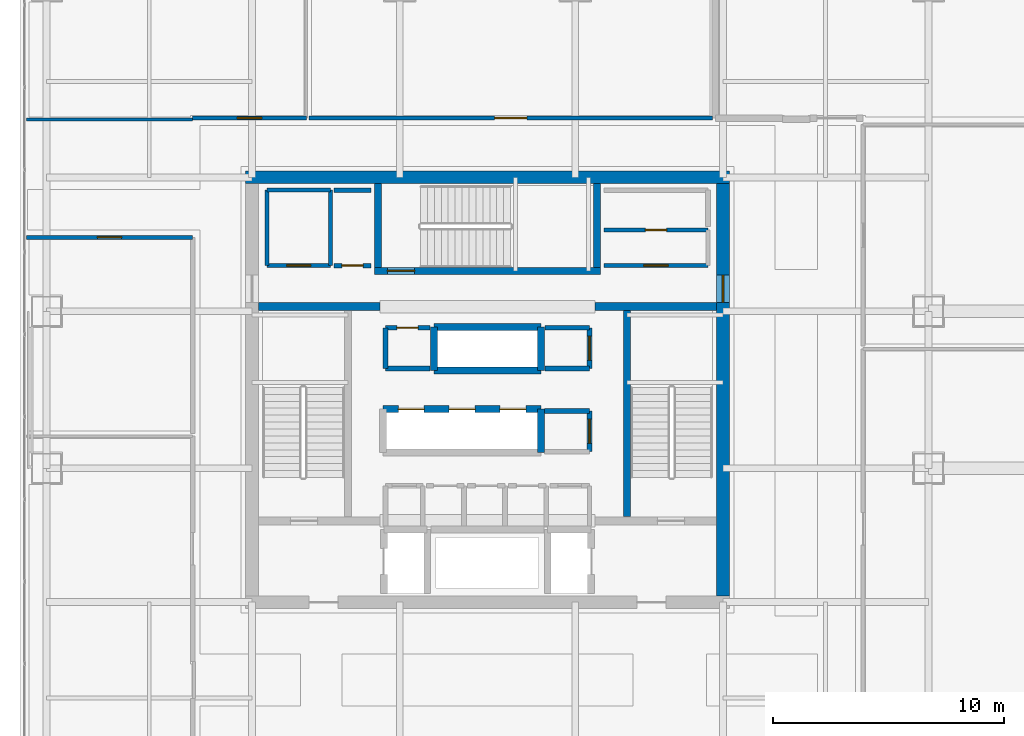
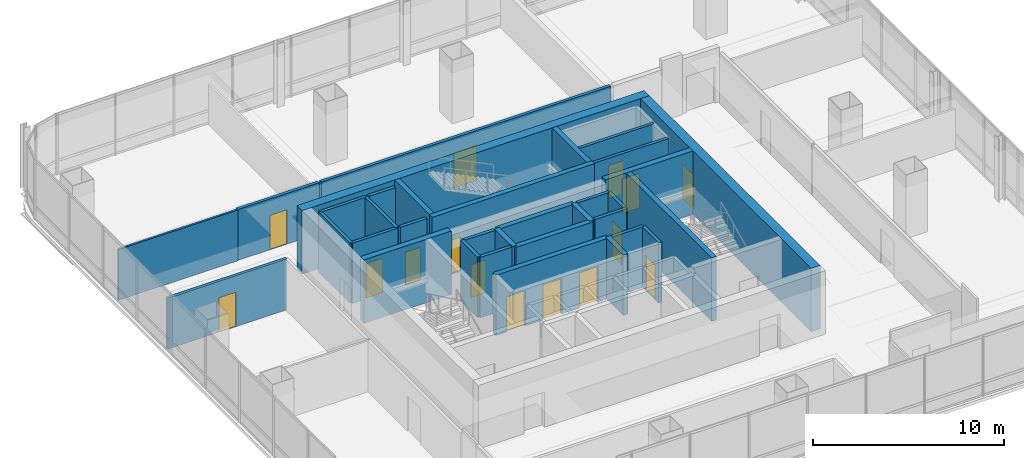
# One storey, part 34 of 40: 34 walls, 15 doors, 15 openings.
"""IFC4 building model written with IfcOpenShell, lengths in metres."""

from ifc_helpers import new_model, si_unit, direction, frame, frame_2d, origin, place, context, subcontext, project, spatial, rectangle, extrude, material, layer, layer_set, type_object, element, fill, save


model = new_model("IFC4")

# Units and contexts
model_context = context("Model", 3, precision=1e-05, world=origin(), true_north=direction((0.0, 1.0)))
body_context = subcontext(model_context, "Body", "Model", "MODEL_VIEW")
ifc_project = project(units=[si_unit("LENGTHUNIT", "METRE"), si_unit("AREAUNIT", "SQUARE_METRE"), si_unit("VOLUMEUNIT", "CUBIC_METRE"), si_unit("PLANEANGLEUNIT", "RADIAN"), si_unit("MASSUNIT", "GRAM", prefix="KILO")], contexts=[model_context])

# Site, building, storey
site_placement = place(None, origin())
site = spatial("IfcSite", under=ifc_project, at=site_placement, CompositionType="ELEMENT")
building_placement = place(site_placement, origin())
building = spatial("IfcBuilding", under=site, at=building_placement, Name="Punatoya Terracotta Tower", CompositionType="ELEMENT")
storey_placement = place(building_placement, frame((0.0, 0.0, 271.64990234375)))
storey = spatial("IfcBuildingStorey", under=building, at=storey_placement, Name="L64", CompositionType="ELEMENT", Elevation=271.64990234375)

# Wall
ifc_material_1 = material(Name="Concrete C50/60", Category="concrete")
ifc_layer_1 = layer(ifc_material_1, 0.550048828125)
ifc_layer_set_1 = layer_set([ifc_layer_1], Name="Concrete C50/60")
wall_type_1 = type_object("IfcWallType", Name="WL-COR-550", PredefinedType="SHEAR", material=ifc_layer_set_1)
wall_1_placement = place(storey_placement, frame((-10.47509765625, 9.199951171875, 0.0), z_axis=(0.0, 0.0, 1.0), x_axis=(1.0, 0.0, 0.0)))
element("IfcWall", 1, at=wall_1_placement, inside=storey, type_object=wall_type_1, Name="L64 Core Shear Wall N", PredefinedType="SHEAR", context=body_context, shape_type="SweptSolid", body=[
    extrude(rectangle(XDim=20.9501953125, YDim=0.550048828125, at=frame_2d((10.47509765625, 0.0))), origin(), (0.0, 0.0, 1.0), 4.050048828125),
])

# Wall, opening, door
wall_2_placement = place(storey_placement, frame((10.199951171875, 8.925048828125, 0.0), z_axis=(0.0, 0.0, 1.0), x_axis=(0.0, -1.0, 0.0)))
wall_2 = element("IfcWall", 2, at=wall_2_placement, inside=storey, type_object=wall_type_1, Name="L64 Core Shear Wall E", PredefinedType="SHEAR", context=body_context, shape_type="SweptSolid", body=[
    extrude(rectangle(XDim=17.85009765625, YDim=0.550048828125, at=frame_2d((8.925048828125, 0.0))), origin(), (0.0, 0.0, 1.0), 4.050048828125),
])
opening_1_placement = place(wall_2_placement, frame((3.955078125, 0.0, 0.0)))
opening_1 = element("IfcOpeningElement", 3, at=opening_1_placement, cuts=wall_2, Name="Opening SD-01", PredefinedType="OPENING", context=body_context, shape_type="SweptSolid", body=[
    extrude(rectangle(XDim=1.179931640625, YDim=2.199951171875, at=frame_2d((0.58984375, 1.10009765625))), frame((0.0, 0.284912109375, 0.0), z_axis=(0.0, -1.0, 0.0), x_axis=(1.0, 0.0, 0.0)), (0.0, 0.0, 1.0), 0.570068359375),
])
ifc_material_2 = material(Name="Galvanised Steel Pressurized Stair Fire Door", Category="steel")
door_type_1 = type_object("IfcDoorType", Name="DR-STR-1180", OperationType="NOTDEFINED", PredefinedType="DOOR", material=ifc_material_2)
door_1_placement = place(opening_1_placement, origin())
door_1 = element("IfcDoor", 4, at=door_1_placement, inside=storey, type_object=door_type_1, Name="L64 Central Lift Lobby East Fire Door", OperationType="SINGLE_SWING_RIGHT", OverallHeight=2.199951171875, OverallWidth=1.179931640625, PredefinedType="DOOR", context=body_context, shape_type="SweptSolid", body=[
    extrude(rectangle(XDim=1.179931640625, YDim=2.199951171875, at=frame_2d((0.58984375, 1.10009765625))), frame((0.0, 0.02490234375, 0.0), z_axis=(0.0, -1.0, 0.0), x_axis=(1.0, 0.0, 0.0)), (0.0, 0.0, 1.0), 0.050048828125),
])
fill(opening_1, door_1)

# Walls
ifc_material_3 = material(Name="Gypsum Fireboard + Steel Stud", Category="steel")
ifc_layer_2 = layer(ifc_material_3, 0.179931640625)
ifc_layer_set_2 = layer_set([ifc_layer_2], Name="Gypsum Fireboard + Steel Stud")
wall_type_2 = type_object("IfcWallType", Name="WL-CORR-180", PredefinedType="PARTITIONING", material=ifc_layer_set_2)
wall_3_placement = place(storey_placement, frame((-6.800048828125, 5.3798828125, 0.0), z_axis=(0.0, 0.0, 1.0), x_axis=(0.0, 1.0, 0.0)))
element("IfcWall", 5, at=wall_3_placement, inside=storey, type_object=wall_type_2, Name="L64 West Core Briefing Pod Partition 21", PredefinedType="PARTITIONING", context=body_context, shape_type="SweptSolid", body=[
    extrude(rectangle(XDim=3.27001953125, YDim=0.179931640625, at=frame_2d((1.635009765625, 0.0))), origin(), (0.0, 0.0, 1.0), 3.85009765625),
])
wall_4_placement = place(storey_placement, frame((-6.800048828125, 8.64990234375, 0.0), z_axis=(0.0, 0.0, 1.0), x_axis=(-1.0, 0.0, 0.0)))
element("IfcWall", 6, at=wall_4_placement, inside=storey, type_object=wall_type_2, Name="L64 West Core Briefing Pod Partition 22", PredefinedType="PARTITIONING", context=body_context, shape_type="SweptSolid", body=[
    extrude(rectangle(XDim=2.75, YDim=0.179931640625, at=frame_2d((1.375, 0.0))), origin(), (0.0, 0.0, 1.0), 3.85009765625),
])
wall_5_placement = place(storey_placement, frame((-9.550048828125, 8.64990234375, 0.0), z_axis=(0.0, 0.0, 1.0), x_axis=(0.0, -1.0, 0.0)))
element("IfcWall", 7, at=wall_5_placement, inside=storey, type_object=wall_type_2, Name="L64 West Core Briefing Pod Partition 23", PredefinedType="PARTITIONING", context=body_context, shape_type="SweptSolid", body=[
    extrude(rectangle(XDim=3.27001953125, YDim=0.179931640625, at=frame_2d((1.635009765625, 0.0))), origin(), (0.0, 0.0, 1.0), 3.85009765625),
])

# Wall, opening, door
wall_6_placement = place(storey_placement, frame((-9.550048828125, 5.3798828125, 0.0), z_axis=(0.0, 0.0, 1.0), x_axis=(1.0, 0.0, 0.0)))
wall_6 = element("IfcWall", 8, at=wall_6_placement, inside=storey, type_object=wall_type_2, Name="L64 West Core Briefing Pod Partition 24", PredefinedType="PARTITIONING", context=body_context, shape_type="SweptSolid", body=[
    extrude(rectangle(XDim=2.75, YDim=0.179931640625, at=frame_2d((1.375, 0.0))), origin(), (0.0, 0.0, 1.0), 3.85009765625),
])
opening_2_placement = place(wall_6_placement, frame((0.864990234375, 0.0, 0.0)))
opening_2 = element("IfcOpeningElement", 9, at=opening_2_placement, cuts=wall_6, Name="Opening MD-01", PredefinedType="OPENING", context=body_context, shape_type="SweptSolid", body=[
    extrude(rectangle(XDim=1.02001953125, YDim=2.199951171875, at=frame_2d((0.510009765625, 1.10009765625))), frame((0.0, 0.099853515625, 0.0), z_axis=(0.0, -1.0, 0.0), x_axis=(1.0, 0.0, 0.0)), (0.0, 0.0, 1.0), 0.199951171875),
])
ifc_material_4 = material(Name="Aluminium + Acoustic Glass Leaf", Category="aluminium")
door_type_2 = type_object("IfcDoorType", Name="DR-MTG-1020", OperationType="NOTDEFINED", PredefinedType="DOOR", material=ifc_material_4)
door_2_placement = place(opening_2_placement, origin())
door_2 = element("IfcDoor", 10, at=door_2_placement, inside=storey, type_object=door_type_2, Name="L64 West Briefing Pod Door", OperationType="SINGLE_SWING_RIGHT", OverallHeight=2.199951171875, OverallWidth=1.02001953125, PredefinedType="DOOR", context=body_context, shape_type="SweptSolid", body=[
    extrude(rectangle(XDim=1.02001953125, YDim=2.199951171875, at=frame_2d((0.510009765625, 1.10009765625))), frame((0.0, 0.02490234375, 0.0), z_axis=(0.0, -1.0, 0.0), x_axis=(1.0, 0.0, 0.0)), (0.0, 0.0, 1.0), 0.050048828125),
])
fill(opening_2, door_2)

wall_7_placement = place(storey_placement, frame((9.550048828125, 6.919921875, 0.0), z_axis=(0.0, 0.0, 1.0), x_axis=(-1.0, 0.0, 0.0)))
wall_7 = element("IfcWall", 11, at=wall_7_placement, inside=storey, type_object=wall_type_2, Name="L64 East Core Reference Room Partition 28", PredefinedType="PARTITIONING", context=body_context, shape_type="SweptSolid", body=[
    extrude(rectangle(XDim=4.5, YDim=0.179931640625, at=frame_2d((2.25, 0.0))), origin(), (0.0, 0.0, 1.0), 3.85009765625),
])
opening_3_placement = place(wall_7_placement, frame((1.7900390625, 0.0, 0.0)))
opening_3 = element("IfcOpeningElement", 12, at=opening_3_placement, cuts=wall_7, Name="Opening FD-R1", PredefinedType="OPENING", context=body_context, shape_type="SweptSolid", body=[
    extrude(rectangle(XDim=0.919921875, YDim=2.10009765625, at=frame_2d((0.4599609375, 1.050048828125))), frame((0.0, 0.099853515625, 0.0), z_axis=(0.0, -1.0, 0.0), x_axis=(1.0, 0.0, 0.0)), (0.0, 0.0, 1.0), 0.199951171875),
])
ifc_material_5 = material(Name="Galvanised Steel Riser Fire Access Door", Category="steel")
door_type_3 = type_object("IfcDoorType", Name="DR-RSR-920", OperationType="NOTDEFINED", PredefinedType="DOOR", material=ifc_material_5)
door_3_placement = place(opening_3_placement, origin())
door_3 = element("IfcDoor", 13, at=door_3_placement, inside=storey, type_object=door_type_3, Name="L64 East Core Supply Store Fire Door", OperationType="SINGLE_SWING_LEFT", OverallHeight=2.10009765625, OverallWidth=0.919921875, PredefinedType="DOOR", context=body_context, shape_type="SweptSolid", body=[
    extrude(rectangle(XDim=0.919921875, YDim=2.10009765625, at=frame_2d((0.4599609375, 1.050048828125))), frame((0.0, 0.02490234375, 0.0), z_axis=(0.0, -1.0, 0.0), x_axis=(1.0, 0.0, 0.0)), (0.0, 0.0, 1.0), 0.050048828125),
])
fill(opening_3, door_3)

wall_8_placement = place(storey_placement, frame((5.050048828125, 5.3798828125, 0.0), z_axis=(0.0, 0.0, 1.0), x_axis=(1.0, 0.0, 0.0)))
wall_8 = element("IfcWall", 14, at=wall_8_placement, inside=storey, type_object=wall_type_2, Name="L64 East Core Reference Room Partition 29", PredefinedType="PARTITIONING", context=body_context, shape_type="SweptSolid", body=[
    extrude(rectangle(XDim=4.5, YDim=0.179931640625, at=frame_2d((2.25, 0.0))), origin(), (0.0, 0.0, 1.0), 3.85009765625),
])
opening_4_placement = place(wall_8_placement, frame((1.72509765625, 0.0, 0.0)))
opening_4 = element("IfcOpeningElement", 15, at=opening_4_placement, cuts=wall_8, Name="Opening OD-01", PredefinedType="OPENING", context=body_context, shape_type="SweptSolid", body=[
    extrude(rectangle(XDim=1.050048828125, YDim=2.199951171875, at=frame_2d((0.52490234375, 1.10009765625))), frame((0.0, 0.099853515625, 0.0), z_axis=(0.0, -1.0, 0.0), x_axis=(1.0, 0.0, 0.0)), (0.0, 0.0, 1.0), 0.199951171875),
])
ifc_material_6 = material(Name="Bengal Teak Solid-Core Leaf")
door_type_4 = type_object("IfcDoorType", Name="DR-OFF-1050", OperationType="NOTDEFINED", PredefinedType="DOOR", material=ifc_material_6)
door_4_placement = place(opening_4_placement, origin())
door_4 = element("IfcDoor", 16, at=door_4_placement, inside=storey, type_object=door_type_4, Name="L64 East Reference Room Door", OperationType="SINGLE_SWING_RIGHT", OverallHeight=2.199951171875, OverallWidth=1.050048828125, PredefinedType="DOOR", context=body_context, shape_type="SweptSolid", body=[
    extrude(rectangle(XDim=1.050048828125, YDim=2.199951171875, at=frame_2d((0.52490234375, 1.10009765625))), frame((0.0, 0.02490234375, 0.0), z_axis=(0.0, -1.0, 0.0), x_axis=(1.0, 0.0, 0.0)), (0.0, 0.0, 1.0), 0.050048828125),
])
fill(opening_4, door_4)

wall_9_placement = place(storey_placement, frame((-19.969970703125, 6.60009765625, 0.0), z_axis=(0.0, 0.0, 1.0), x_axis=(1.0, 0.0, 0.0)))
wall_9 = element("IfcWall", 17, at=wall_9_placement, inside=storey, type_object=wall_type_2, Name="L64 Open-Plan Nutrition Tea Pantry Partition 45", PredefinedType="PARTITIONING", context=body_context, shape_type="SweptSolid", body=[
    extrude(rectangle(XDim=7.199951171875, YDim=0.179931640625, at=frame_2d((3.60009765625, 0.0))), origin(), (0.0, 0.0, 1.0), 3.244140625),
])
opening_5_placement = place(wall_9_placement, frame((3.074951171875, 0.0, 0.0)))
opening_5 = element("IfcOpeningElement", 18, at=opening_5_placement, cuts=wall_9, Name="Opening OD-01", PredefinedType="OPENING", context=body_context, shape_type="SweptSolid", body=[
    extrude(rectangle(XDim=1.050048828125, YDim=2.199951171875, at=frame_2d((0.52490234375, 1.10009765625))), frame((0.0, 0.099853515625, 0.0), z_axis=(0.0, -1.0, 0.0), x_axis=(1.0, 0.0, 0.0)), (0.0, 0.0, 1.0), 0.199951171875),
])
door_5_placement = place(opening_5_placement, origin())
door_5 = element("IfcDoor", 19, at=door_5_placement, inside=storey, type_object=door_type_4, Name="L64 Open-Plan Nutrition Tea Pantry Door", OperationType="SINGLE_SWING_RIGHT", OverallHeight=2.199951171875, OverallWidth=1.050048828125, PredefinedType="DOOR", context=body_context, shape_type="SweptSolid", body=[
    extrude(rectangle(XDim=1.050048828125, YDim=2.199951171875, at=frame_2d((0.52490234375, 1.10009765625))), frame((0.0, 0.02490234375, 0.0), z_axis=(0.0, -1.0, 0.0), x_axis=(1.0, 0.0, 0.0)), (0.0, 0.0, 1.0), 0.050048828125),
])
fill(opening_5, door_5)

wall_10_placement = place(storey_placement, frame((-7.845947265625, 11.77001953125, 0.0), z_axis=(0.0, 0.0, 1.0), x_axis=(-1.0, 0.0, 0.0)))
wall_10 = element("IfcWall", 20, at=wall_10_placement, inside=storey, type_object=wall_type_2, Name="L64 Open-Plan Cultural Reading Library Partition 50", PredefinedType="PARTITIONING", context=body_context, shape_type="SweptSolid", body=[
    extrude(rectangle(XDim=4.924072265625, YDim=0.179931640625, at=frame_2d((2.4619140625, 0.0))), origin(), (0.0, 0.0, 1.0), 3.244140625),
])
opening_6_placement = place(wall_10_placement, frame((1.93701171875, 0.0, 0.0)))
opening_6 = element("IfcOpeningElement", 21, at=opening_6_placement, cuts=wall_10, Name="Opening OD-01", PredefinedType="OPENING", context=body_context, shape_type="SweptSolid", body=[
    extrude(rectangle(XDim=1.050048828125, YDim=2.199951171875, at=frame_2d((0.52490234375, 1.10009765625))), frame((0.0, 0.099853515625, 0.0), z_axis=(0.0, -1.0, 0.0), x_axis=(1.0, 0.0, 0.0)), (0.0, 0.0, 1.0), 0.199951171875),
])
door_6_placement = place(opening_6_placement, origin())
door_6 = element("IfcDoor", 22, at=door_6_placement, inside=storey, type_object=door_type_4, Name="L64 Open-Plan Cultural Reading Library Door", OperationType="SINGLE_SWING_RIGHT", OverallHeight=2.199951171875, OverallWidth=1.050048828125, PredefinedType="DOOR", context=body_context, shape_type="SweptSolid", body=[
    extrude(rectangle(XDim=1.050048828125, YDim=2.199951171875, at=frame_2d((0.52490234375, 1.10009765625))), frame((0.0, 0.02490234375, 0.0), z_axis=(0.0, -1.0, 0.0), x_axis=(1.0, 0.0, 0.0)), (0.0, 0.0, 1.0), 0.050048828125),
])
fill(opening_6, door_6)

wall_11_placement = place(storey_placement, frame((9.748046875, 11.77001953125, 0.0), z_axis=(0.0, 0.0, 1.0), x_axis=(-1.0, 0.0, 0.0)))
wall_11 = element("IfcWall", 23, at=wall_11_placement, inside=storey, type_object=wall_type_2, Name="L64 Seminar Discussion Room Partition 56", PredefinedType="PARTITIONING", context=body_context, shape_type="SweptSolid", body=[
    extrude(rectangle(XDim=17.47412109375, YDim=0.179931640625, at=frame_2d((8.737060546875, 0.0))), origin(), (0.0, 0.0, 1.0), 3.244140625),
])
opening_7_placement = place(wall_11_placement, frame((8.037109375, 0.0, 0.0)))
opening_7 = element("IfcOpeningElement", 24, at=opening_7_placement, cuts=wall_11, Name="Opening BD-01", PredefinedType="OPENING", context=body_context, shape_type="SweptSolid", body=[
    extrude(rectangle(XDim=1.39990234375, YDim=2.25, at=frame_2d((0.699951171875, 1.125))), frame((0.0, 0.099853515625, 0.0), z_axis=(0.0, -1.0, 0.0), x_axis=(1.0, 0.0, 0.0)), (0.0, 0.0, 1.0), 0.199951171875),
])
ifc_material_7 = material(Name="Bengal Teak Acoustic Leaf")
door_type_5 = type_object("IfcDoorType", Name="DR-BRD-1400", OperationType="NOTDEFINED", PredefinedType="DOOR", material=ifc_material_7)
door_7_placement = place(opening_7_placement, origin())
door_7 = element("IfcDoor", 25, at=door_7_placement, inside=storey, type_object=door_type_5, Name="L64 Seminar Discussion Room Door", OperationType="SINGLE_SWING_RIGHT", OverallHeight=2.25, OverallWidth=1.39990234375, PredefinedType="DOOR", context=body_context, shape_type="SweptSolid", body=[
    extrude(rectangle(XDim=1.39990234375, YDim=2.25, at=frame_2d((0.699951171875, 1.125))), frame((0.0, 0.02490234375, 0.0), z_axis=(0.0, -1.0, 0.0), x_axis=(1.0, 0.0, 0.0)), (0.0, 0.0, 1.0), 0.050048828125),
])
fill(opening_7, door_7)

ifc_material_8 = material(Name="Concrete C40/50", Category="concrete")
ifc_layer_3 = layer(ifc_material_8, 0.199951171875)
ifc_layer_set_3 = layer_set([ifc_layer_3], Name="Concrete C40/50")
wall_type_3 = type_object("IfcWallType", Name="WL-INT-200", PredefinedType="SOLIDWALL", material=ifc_layer_set_3)
wall_12_placement = place(storey_placement, frame((4.419921875, -2.679931640625, 0.0), z_axis=(0.0, 0.0, 1.0), x_axis=(0.0, 1.0, 0.0)))
wall_12 = element("IfcWall", 26, at=wall_12_placement, inside=storey, type_object=wall_type_3, Name="L64 East Core Tea Pantry Partition 12", PredefinedType="SOLIDWALL", context=body_context, shape_type="SweptSolid", body=[
    extrude(rectangle(XDim=1.760009765625, YDim=0.199951171875, at=frame_2d((0.8798828125, 0.0))), origin(), (0.0, 0.0, 1.0), 3.85009765625),
])
opening_8_placement = place(wall_12_placement, frame((0.35498046875, 0.0, 0.0)))
opening_8 = element("IfcOpeningElement", 27, at=opening_8_placement, cuts=wall_12, Name="Opening OD-01", PredefinedType="OPENING", context=body_context, shape_type="SweptSolid", body=[
    extrude(rectangle(XDim=1.050048828125, YDim=2.199951171875, at=frame_2d((0.52490234375, 1.10009765625))), frame((0.0, 0.10986328125, 0.0), z_axis=(0.0, -1.0, 0.0), x_axis=(1.0, 0.0, 0.0)), (0.0, 0.0, 1.0), 0.219970703125),
])
door_8_placement = place(opening_8_placement, origin())
door_8 = element("IfcDoor", 28, at=door_8_placement, inside=storey, type_object=door_type_4, Name="L64 East Tea Pantry Door", OperationType="SINGLE_SWING_LEFT", OverallHeight=2.199951171875, OverallWidth=1.050048828125, PredefinedType="DOOR", context=body_context, shape_type="SweptSolid", body=[
    extrude(rectangle(XDim=1.050048828125, YDim=2.199951171875, at=frame_2d((0.52490234375, 1.10009765625))), frame((0.0, 0.02490234375, 0.0), z_axis=(0.0, -1.0, 0.0), x_axis=(1.0, 0.0, 0.0)), (0.0, 0.0, 1.0), 0.050048828125),
])
fill(opening_8, door_8)

# Wall
wall_13_placement = place(storey_placement, frame((4.419921875, -0.919921875, 0.0), z_axis=(0.0, 0.0, 1.0), x_axis=(-1.0, 0.0, 0.0)))
element("IfcWall", 29, at=wall_13_placement, inside=storey, type_object=wall_type_3, Name="L64 East Core Tea Pantry Partition 13", PredefinedType="SOLIDWALL", context=body_context, shape_type="SweptSolid", body=[
    extrude(rectangle(XDim=1.93994140625, YDim=0.199951171875, at=frame_2d((0.969970703125, 0.0))), origin(), (0.0, 0.0, 1.0), 3.85009765625),
])

# Wall, opening, door
wall_14_placement = place(storey_placement, frame((-2.5, 2.679931640625, 0.0), z_axis=(0.0, 0.0, 1.0), x_axis=(-1.0, 0.0, 0.0)))
wall_14 = element("IfcWall", 30, at=wall_14_placement, inside=storey, type_object=wall_type_3, Name="L64 Core Security Equipment Closet Partition 15", PredefinedType="SOLIDWALL", context=body_context, shape_type="SweptSolid", body=[
    extrude(rectangle(XDim=1.919921875, YDim=0.199951171875, at=frame_2d((0.9599609375, 0.0))), origin(), (0.0, 0.0, 1.0), 3.85009765625),
])
opening_9_placement = place(wall_14_placement, frame((0.5, 0.0, 0.0)))
opening_9 = element("IfcOpeningElement", 31, at=opening_9_placement, cuts=wall_14, Name="Opening FD-R1", PredefinedType="OPENING", context=body_context, shape_type="SweptSolid", body=[
    extrude(rectangle(XDim=0.919921875, YDim=2.10009765625, at=frame_2d((0.4599609375, 1.050048828125))), frame((0.0, 0.10986328125, 0.0), z_axis=(0.0, -1.0, 0.0), x_axis=(1.0, 0.0, 0.0)), (0.0, 0.0, 1.0), 0.219970703125),
])
door_9_placement = place(opening_9_placement, origin())
door_9 = element("IfcDoor", 32, at=door_9_placement, inside=storey, type_object=door_type_3, Name="L64 Core Security Equipment Closet Fire Door", OperationType="SINGLE_SWING_RIGHT", OverallHeight=2.10009765625, OverallWidth=0.919921875, PredefinedType="DOOR", context=body_context, shape_type="SweptSolid", body=[
    extrude(rectangle(XDim=0.919921875, YDim=2.10009765625, at=frame_2d((0.4599609375, 1.050048828125))), frame((0.0, 0.02490234375, 0.0), z_axis=(0.0, -1.0, 0.0), x_axis=(1.0, 0.0, 0.0)), (0.0, 0.0, 1.0), 0.050048828125),
])
fill(opening_9, door_9)

# Walls
wall_15_placement = place(storey_placement, frame((-4.419921875, 2.679931640625, 0.0), z_axis=(0.0, 0.0, 1.0), x_axis=(0.0, -1.0, 0.0)))
element("IfcWall", 33, at=wall_15_placement, inside=storey, type_object=wall_type_3, Name="L64 Core Security Equipment Closet Partition 16", PredefinedType="SOLIDWALL", context=body_context, shape_type="SweptSolid", body=[
    extrude(rectangle(XDim=1.760009765625, YDim=0.199951171875, at=frame_2d((0.8798828125, 0.0))), origin(), (0.0, 0.0, 1.0), 3.85009765625),
])
wall_16_placement = place(storey_placement, frame((-4.419921875, 0.919921875, 0.0), z_axis=(0.0, 0.0, 1.0), x_axis=(1.0, 0.0, 0.0)))
element("IfcWall", 34, at=wall_16_placement, inside=storey, type_object=wall_type_3, Name="L64 Core Security Equipment Closet Partition 17", PredefinedType="SOLIDWALL", context=body_context, shape_type="SweptSolid", body=[
    extrude(rectangle(XDim=1.919921875, YDim=0.199951171875, at=frame_2d((0.9599609375, 0.0))), origin(), (0.0, 0.0, 1.0), 3.85009765625),
])

# Wall, opening, door
wall_17_placement = place(storey_placement, frame((4.419921875, 0.919921875, 0.0), z_axis=(0.0, 0.0, 1.0), x_axis=(0.0, 1.0, 0.0)))
wall_17 = element("IfcWall", 35, at=wall_17_placement, inside=storey, type_object=wall_type_3, Name="L64 Executive Steward Pantry Partition 18", PredefinedType="SOLIDWALL", context=body_context, shape_type="SweptSolid", body=[
    extrude(rectangle(XDim=1.760009765625, YDim=0.199951171875, at=frame_2d((0.8798828125, 0.0))), origin(), (0.0, 0.0, 1.0), 3.85009765625),
])
opening_10_placement = place(wall_17_placement, frame((0.35498046875, 0.0, 0.0)))
opening_10 = element("IfcOpeningElement", 36, at=opening_10_placement, cuts=wall_17, Name="Opening OD-01", PredefinedType="OPENING", context=body_context, shape_type="SweptSolid", body=[
    extrude(rectangle(XDim=1.050048828125, YDim=2.199951171875, at=frame_2d((0.52490234375, 1.10009765625))), frame((0.0, 0.10986328125, 0.0), z_axis=(0.0, -1.0, 0.0), x_axis=(1.0, 0.0, 0.0)), (0.0, 0.0, 1.0), 0.219970703125),
])
door_10_placement = place(opening_10_placement, origin())
door_10 = element("IfcDoor", 37, at=door_10_placement, inside=storey, type_object=door_type_4, Name="L64 Executive Steward Pantry Door", OperationType="SINGLE_SWING_LEFT", OverallHeight=2.199951171875, OverallWidth=1.050048828125, PredefinedType="DOOR", context=body_context, shape_type="SweptSolid", body=[
    extrude(rectangle(XDim=1.050048828125, YDim=2.199951171875, at=frame_2d((0.52490234375, 1.10009765625))), frame((0.0, 0.02490234375, 0.0), z_axis=(0.0, -1.0, 0.0), x_axis=(1.0, 0.0, 0.0)), (0.0, 0.0, 1.0), 0.050048828125),
])
fill(opening_10, door_10)

# Walls
for number, where, z_axis, x_axis, name in (
    (38, (4.419921875, 2.679931640625, 0.0), (0.0, 0.0, 1.0), (-1.0, 0.0, 0.0), "L64 Executive Steward Pantry Partition 19"),
    (39, (2.5, 0.919921875, 0.0), (0.0, 0.0, 1.0), (1.0, 0.0, 0.0), "L64 Executive Steward Pantry Partition 20"),
):
    element("IfcWall", number, at=place(storey_placement, frame(where, z_axis=z_axis, x_axis=x_axis)), inside=storey, type_object=wall_type_3, Name=name, PredefinedType="SOLIDWALL", context=body_context, shape_type="SweptSolid", body=[
        extrude(rectangle(XDim=1.919921875, YDim=0.199951171875, at=frame_2d((0.9599609375, 0.0))), origin(), (0.0, 0.0, 1.0), 3.85009765625),
    ])
wall_18_placement = place(storey_placement, frame((-5.050048828125, 8.64990234375, 0.0), z_axis=(0.0, 0.0, 1.0), x_axis=(-1.0, 0.0, 0.0)))
element("IfcWall", 40, at=wall_18_placement, inside=storey, type_object=wall_type_3, Name="L64 West Core Supply Store Partition 25", PredefinedType="SOLIDWALL", context=body_context, shape_type="SweptSolid", body=[
    extrude(rectangle(XDim=1.58984375, YDim=0.199951171875, at=frame_2d((0.794921875, 0.0))), origin(), (0.0, 0.0, 1.0), 3.85009765625),
])

# Wall, opening, door
wall_19_placement = place(storey_placement, frame((-6.639892578125, 5.3798828125, 0.0), z_axis=(0.0, 0.0, 1.0), x_axis=(1.0, 0.0, 0.0)))
wall_19 = element("IfcWall", 41, at=wall_19_placement, inside=storey, type_object=wall_type_3, Name="L64 West Core Supply Store Partition 26", PredefinedType="SOLIDWALL", context=body_context, shape_type="SweptSolid", body=[
    extrude(rectangle(XDim=1.58984375, YDim=0.199951171875, at=frame_2d((0.794921875, 0.0))), origin(), (0.0, 0.0, 1.0), 3.85009765625),
])
opening_11_placement = place(wall_19_placement, frame((0.3349609375, 0.0, 0.0)))
opening_11 = element("IfcOpeningElement", 42, at=opening_11_placement, cuts=wall_19, Name="Opening FD-R1", PredefinedType="OPENING", context=body_context, shape_type="SweptSolid", body=[
    extrude(rectangle(XDim=0.919921875, YDim=2.10009765625, at=frame_2d((0.4599609375, 1.050048828125))), frame((0.0, 0.10986328125, 0.0), z_axis=(0.0, -1.0, 0.0), x_axis=(1.0, 0.0, 0.0)), (0.0, 0.0, 1.0), 0.219970703125),
])
door_11_placement = place(opening_11_placement, origin())
door_11 = element("IfcDoor", 43, at=door_11_placement, inside=storey, type_object=door_type_3, Name="L64 West Core Supply Store Fire Door", OperationType="SINGLE_SWING_LEFT", OverallHeight=2.10009765625, OverallWidth=0.919921875, PredefinedType="DOOR", context=body_context, shape_type="SweptSolid", body=[
    extrude(rectangle(XDim=0.919921875, YDim=2.10009765625, at=frame_2d((0.4599609375, 1.050048828125))), frame((0.0, 0.02490234375, 0.0), z_axis=(0.0, -1.0, 0.0), x_axis=(1.0, 0.0, 0.0)), (0.0, 0.0, 1.0), 0.050048828125),
])
fill(opening_11, door_11)

# Walls
ifc_material_9 = material(Name="Gypsum Partition + Steel Stud", Category="steel")
ifc_layer_4 = layer(ifc_material_9, 0.1201171875)
ifc_layer_set_4 = layer_set([ifc_layer_4], Name="Gypsum Partition + Steel Stud")
wall_type_4 = type_object("IfcWallType", Name="WL-OFF-120", PredefinedType="PARTITIONING", material=ifc_layer_set_4)
wall_20_placement = place(storey_placement, frame((-12.77001953125, 11.7099609375, 0.0), z_axis=(0.0, 0.0, 1.0), x_axis=(-1.0, 0.0, 0.0)))
element("IfcWall", 44, at=wall_20_placement, inside=storey, type_object=wall_type_4, Name="L64 Open-Plan Cultural Reading Library Partition 51", PredefinedType="PARTITIONING", context=body_context, shape_type="SweptSolid", body=[
    extrude(rectangle(XDim=7.199951171875, YDim=0.1201171875, at=frame_2d((3.60009765625, 0.0))), origin(), (0.0, 0.0, 1.0), 3.244140625),
])
ifc_layer_5 = layer(ifc_material_8, 0.300048828125)
ifc_layer_set_5 = layer_set([ifc_layer_5], Name="Concrete C40/50")
wall_type_5 = type_object("IfcWallType", Name="WL-SHF-300", PredefinedType="SOLIDWALL", material=ifc_layer_set_5)
wall_21_placement = place(storey_placement, frame((6.050048828125, 3.449951171875, 0.0), z_axis=(0.0, 0.0, 1.0), x_axis=(0.0, -1.0, 0.0)))
element("IfcWall", 45, at=wall_21_placement, inside=storey, type_object=wall_type_5, Name="L64 Structural Stair Shaft Wall SW-ST2-W", PredefinedType="SOLIDWALL", context=body_context, shape_type="SweptSolid", body=[
    extrude(rectangle(XDim=8.949951171875, YDim=0.300048828125, at=frame_2d((4.47509765625, 0.0))), origin(), (0.0, 0.0, 1.0), 4.050048828125),
])
for number, where, z_axis, x_axis, name in (
    (46, (-4.75, 5.300048828125, 0.0), (0.0, 0.0, 1.0), (0.0, 1.0, 0.0), "L64 Structural Stair Shaft Wall SW-ST3-W"),
    (47, (4.75, 8.925048828125, 0.0), (0.0, 0.0, 1.0), (0.0, -1.0, 0.0), "L64 Structural Stair Shaft Wall SW-ST3-E"),
):
    element("IfcWall", number, at=place(storey_placement, frame(where, z_axis=z_axis, x_axis=x_axis)), inside=storey, type_object=wall_type_5, Name=name, PredefinedType="SOLIDWALL", context=body_context, shape_type="SweptSolid", body=[
        extrude(rectangle(XDim=3.625, YDim=0.300048828125, at=frame_2d((1.8125, 0.0))), origin(), (0.0, 0.0, 1.0), 4.050048828125),
    ])

# Wall, opening, door
wall_22_placement = place(storey_placement, frame((-4.89990234375, 5.14990234375, 0.0), z_axis=(0.0, 0.0, 1.0), x_axis=(1.0, 0.0, 0.0)))
wall_22 = element("IfcWall", 48, at=wall_22_placement, inside=storey, type_object=wall_type_5, Name="L64 Structural Stair Shaft Wall SW-ST3-S", PredefinedType="SOLIDWALL", context=body_context, shape_type="SweptSolid", body=[
    extrude(rectangle(XDim=9.7998046875, YDim=0.300048828125, at=frame_2d((4.89990234375, 0.0))), origin(), (0.0, 0.0, 1.0), 4.050048828125),
])
opening_12_placement = place(wall_22_placement, frame((0.56005859375, 0.0, 0.0)))
opening_12 = element("IfcOpeningElement", 49, at=opening_12_placement, cuts=wall_22, Name="Opening SD-01", PredefinedType="OPENING", context=body_context, shape_type="SweptSolid", body=[
    extrude(rectangle(XDim=1.179931640625, YDim=2.199951171875, at=frame_2d((0.58984375, 1.10009765625))), frame((0.0, 0.159912109375, 0.0), z_axis=(0.0, -1.0, 0.0), x_axis=(1.0, 0.0, 0.0)), (0.0, 0.0, 1.0), 0.320068359375),
])
door_12_placement = place(opening_12_placement, origin())
door_12 = element("IfcDoor", 50, at=door_12_placement, inside=storey, type_object=door_type_1, Name="L64 Stair ST-3 Core Lobby Fire Door", OperationType="SINGLE_SWING_LEFT", OverallHeight=2.199951171875, OverallWidth=1.179931640625, PredefinedType="DOOR", context=body_context, shape_type="SweptSolid", body=[
    extrude(rectangle(XDim=1.179931640625, YDim=2.199951171875, at=frame_2d((0.58984375, 1.10009765625))), frame((0.0, 0.02490234375, 0.0), z_axis=(0.0, -1.0, 0.0), x_axis=(1.0, 0.0, 0.0)), (0.0, 0.0, 1.0), 0.050048828125),
])
fill(opening_12, door_12)

# Wall, openings, doors
wall_23_placement = place(storey_placement, frame((-4.52001953125, -0.840087890625, 0.0), z_axis=(0.0, 0.0, 1.0), x_axis=(1.0, 0.0, 0.0)))
wall_23 = element("IfcWall", 51, at=wall_23_placement, inside=storey, type_object=wall_type_5, Name="L64 South Lift Bank Front Shaft Wall", PredefinedType="SOLIDWALL", context=body_context, shape_type="SweptSolid", body=[
    extrude(rectangle(XDim=6.840087890625, YDim=0.300048828125, at=frame_2d((3.419921875, 0.0))), origin(), (0.0, 0.0, 1.0), 3.85009765625),
])
opening_13_placement = place(wall_23_placement, frame((0.659912109375, 0.0, 0.0)))
opening_13 = element("IfcOpeningElement", 52, at=opening_13_placement, cuts=wall_23, Name="Opening LD-02", PredefinedType="OPENING", context=body_context, shape_type="SweptSolid", body=[
    extrude(rectangle(XDim=1.1201171875, YDim=2.25, at=frame_2d((0.56005859375, 1.125))), frame((0.0, 0.159912109375, 0.0), z_axis=(0.0, -1.0, 0.0), x_axis=(1.0, 0.0, 0.0)), (0.0, 0.0, 1.0), 0.320068359375),
])
opening_14_placement = place(wall_23_placement, frame((2.860107421875, 0.0, 0.0)))
opening_14 = element("IfcOpeningElement", 53, at=opening_14_placement, cuts=wall_23, Name="Opening LD-02", PredefinedType="OPENING", context=body_context, shape_type="SweptSolid", body=[
    extrude(rectangle(XDim=1.1201171875, YDim=2.25, at=frame_2d((0.56005859375, 1.125))), frame((0.0, 0.159912109375, 0.0), z_axis=(0.0, -1.0, 0.0), x_axis=(1.0, 0.0, 0.0)), (0.0, 0.0, 1.0), 0.320068359375),
])
opening_15_placement = place(wall_23_placement, frame((5.06005859375, 0.0, 0.0)))
opening_15 = element("IfcOpeningElement", 54, at=opening_15_placement, cuts=wall_23, Name="Opening LD-02", PredefinedType="OPENING", context=body_context, shape_type="SweptSolid", body=[
    extrude(rectangle(XDim=1.1201171875, YDim=2.25, at=frame_2d((0.56005859375, 1.125))), frame((0.0, 0.159912109375, 0.0), z_axis=(0.0, -1.0, 0.0), x_axis=(1.0, 0.0, 0.0)), (0.0, 0.0, 1.0), 0.320068359375),
])
ifc_material_10 = material(Name="Stainless Steel Lift Landing Door", Category="steel")
door_type_6 = type_object("IfcDoorType", Name="DR-LND-1120", OperationType="NOTDEFINED", PredefinedType="DOOR", material=ifc_material_10)
door_13_placement = place(opening_13_placement, origin())
door_13 = element("IfcDoor", 55, at=door_13_placement, inside=storey, type_object=door_type_6, Name="L64 Lift PL-H1 Sliding Landing Door", OperationType="DOUBLE_DOOR_SLIDING", OverallHeight=2.25, OverallWidth=1.1201171875, PredefinedType="DOOR", context=body_context, shape_type="SweptSolid", body=[
    extrude(rectangle(XDim=1.1201171875, YDim=2.25, at=frame_2d((0.56005859375, 1.125))), frame((0.0, 0.02490234375, 0.0), z_axis=(0.0, -1.0, 0.0), x_axis=(1.0, 0.0, 0.0)), (0.0, 0.0, 1.0), 0.050048828125),
])
fill(opening_13, door_13)
door_14_placement = place(opening_14_placement, origin())
door_14 = element("IfcDoor", 56, at=door_14_placement, inside=storey, type_object=door_type_6, Name="L64 Lift PL-H2 Sliding Landing Door", OperationType="DOUBLE_DOOR_SLIDING", OverallHeight=2.25, OverallWidth=1.1201171875, PredefinedType="DOOR", context=body_context, shape_type="SweptSolid", body=[
    extrude(rectangle(XDim=1.1201171875, YDim=2.25, at=frame_2d((0.56005859375, 1.125))), frame((0.0, 0.02490234375, 0.0), z_axis=(0.0, -1.0, 0.0), x_axis=(1.0, 0.0, 0.0)), (0.0, 0.0, 1.0), 0.050048828125),
])
fill(opening_14, door_14)
door_15_placement = place(opening_15_placement, origin())
door_15 = element("IfcDoor", 57, at=door_15_placement, inside=storey, type_object=door_type_6, Name="L64 Lift PL-H3 Sliding Landing Door", OperationType="DOUBLE_DOOR_SLIDING", OverallHeight=2.25, OverallWidth=1.1201171875, PredefinedType="DOOR", context=body_context, shape_type="SweptSolid", body=[
    extrude(rectangle(XDim=1.1201171875, YDim=2.25, at=frame_2d((0.56005859375, 1.125))), frame((0.0, 0.02490234375, 0.0), z_axis=(0.0, -1.0, 0.0), x_axis=(1.0, 0.0, 0.0)), (0.0, 0.0, 1.0), 0.050048828125),
])
fill(opening_15, door_15)

# Walls
wall_24_placement = place(storey_placement, frame((2.320068359375, -2.719970703125, 0.0), z_axis=(0.0, 0.0, 1.0), x_axis=(0.0, 1.0, 0.0)))
element("IfcWall", 58, at=wall_24_placement, inside=storey, type_object=wall_type_5, Name="L64 South Lift Bank East End Wall", PredefinedType="SOLIDWALL", context=body_context, shape_type="SweptSolid", body=[
    extrude(rectangle(XDim=1.8798828125, YDim=0.300048828125, at=frame_2d((0.93994140625, 0.0))), origin(), (0.0, 0.0, 1.0), 3.85009765625),
])
for number, where, z_axis, x_axis, name in (
    (59, (-2.320068359375, 0.840087890625, 0.0), (0.0, 0.0, 1.0), (1.0, 0.0, 0.0), "L64 North Lift Bank Front Shaft Wall"),
    (60, (-2.320068359375, 2.719970703125, 0.0), (0.0, 0.0, 1.0), (1.0, 0.0, 0.0), "L64 North Lift Bank Rear Shaft Wall"),
):
    element("IfcWall", number, at=place(storey_placement, frame(where, z_axis=z_axis, x_axis=x_axis)), inside=storey, type_object=wall_type_5, Name=name, PredefinedType="SOLIDWALL", context=body_context, shape_type="SweptSolid", body=[
        extrude(rectangle(XDim=4.64013671875, YDim=0.300048828125, at=frame_2d((2.320068359375, 0.0))), origin(), (0.0, 0.0, 1.0), 3.85009765625),
    ])
for number, where, z_axis, x_axis, name in (
    (61, (-2.320068359375, 0.840087890625, 0.0), (0.0, 0.0, 1.0), (0.0, 1.0, 0.0), "L64 North Lift Bank West End Wall"),
    (62, (2.320068359375, 0.840087890625, 0.0), (0.0, 0.0, 1.0), (0.0, 1.0, 0.0), "L64 North Lift Bank East End Wall"),
):
    element("IfcWall", number, at=place(storey_placement, frame(where, z_axis=z_axis, x_axis=x_axis)), inside=storey, type_object=wall_type_5, Name=name, PredefinedType="SOLIDWALL", context=body_context, shape_type="SweptSolid", body=[
        extrude(rectangle(XDim=1.8798828125, YDim=0.300048828125, at=frame_2d((0.93994140625, 0.0))), origin(), (0.0, 0.0, 1.0), 3.85009765625),
    ])
ifc_layer_6 = layer(ifc_material_1, 0.35009765625)
ifc_layer_set_6 = layer_set([ifc_layer_6], Name="Concrete C50/60")
wall_type_6 = type_object("IfcWallType", Name="WL-SHF-350", PredefinedType="SOLIDWALL", material=ifc_layer_set_6)
for number, where, z_axis, x_axis, name in (
    (63, (-9.925048828125, 3.60009765625, 0.0), (0.0, 0.0, 1.0), (1.0, 0.0, 0.0), "L64 Core Web Wall CNW-L"),
    (64, (4.64990234375, 3.60009765625, 0.0), (0.0, 0.0, 1.0), (1.0, 0.0, 0.0), "L64 Core Web Wall CNW-R"),
):
    element("IfcWall", number, at=place(storey_placement, frame(where, z_axis=z_axis, x_axis=x_axis)), inside=storey, type_object=wall_type_6, Name=name, PredefinedType="SOLIDWALL", context=body_context, shape_type="SweptSolid", body=[
        extrude(rectangle(XDim=5.275146484375, YDim=0.35009765625, at=frame_2d((2.6376953125, 0.0))), origin(), (0.0, 0.0, 1.0), 4.050048828125),
    ])

save(model, "model.ifc")
